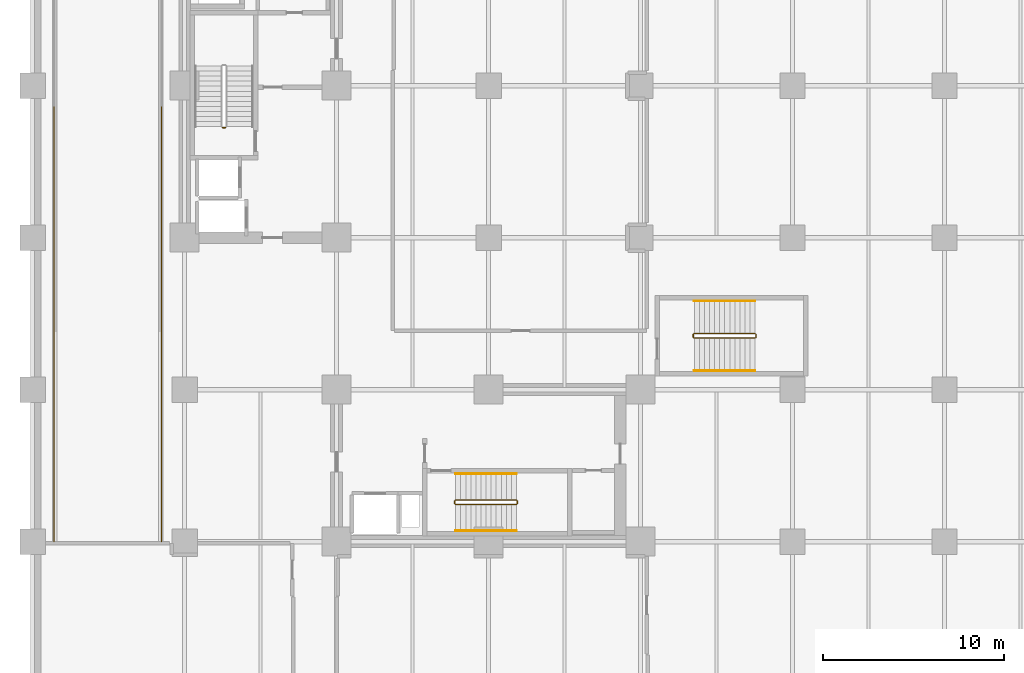
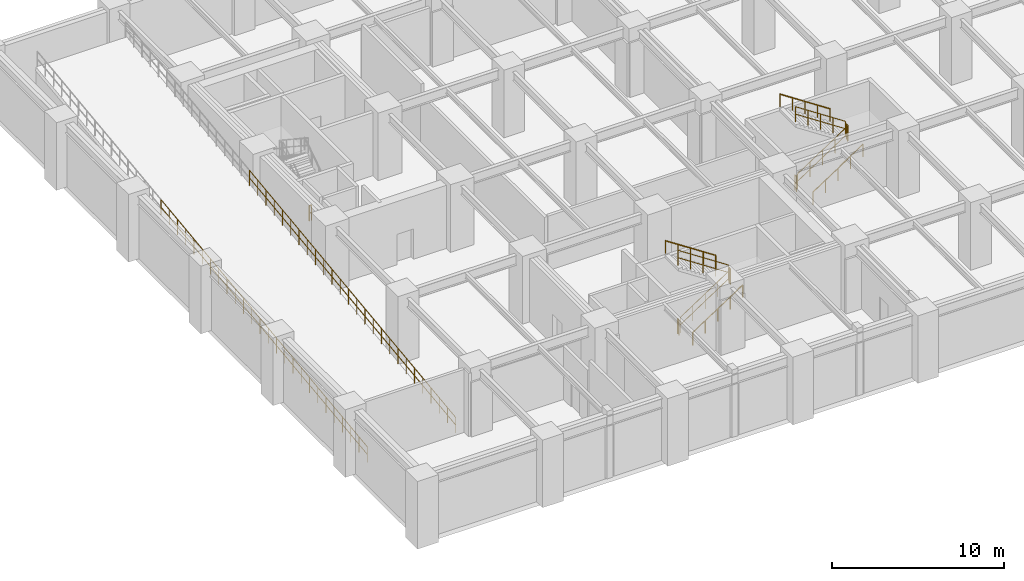
# One storey, part 6 of 7: 23 railings.
"""IFC4 building model written with IfcOpenShell, lengths in metres."""

from ifc_helpers import new_model, si_unit, direction, frame, origin, origin_2d, place, context, subcontext, project, spatial, circle, extrude, material, type_object, element, save


model = new_model("IFC4")

# Units and contexts
model_context = context("Model", 3, precision=1e-05, world=origin(), true_north=direction((0.0, 1.0)))
body_context = subcontext(model_context, "Body", "Model", "MODEL_VIEW")
ifc_project = project(units=[si_unit("LENGTHUNIT", "METRE"), si_unit("AREAUNIT", "SQUARE_METRE"), si_unit("VOLUMEUNIT", "CUBIC_METRE"), si_unit("PLANEANGLEUNIT", "RADIAN"), si_unit("MASSUNIT", "GRAM", prefix="KILO")], contexts=[model_context])

# Site, building, storey
site_placement = place(None, origin())
site = spatial("IfcSite", under=ifc_project, at=site_placement, CompositionType="ELEMENT")
building_placement = place(site_placement, origin())
building = spatial("IfcBuilding", under=site, at=building_placement, Name="Nerrivon Quay Data Exchange", CompositionType="ELEMENT")
storey_placement = place(building_placement, frame((0.0, 0.0, -4.800048828125)))
storey = spatial("IfcBuildingStorey", under=building, at=storey_placement, Name="B01", CompositionType="ELEMENT", Elevation=-4.800048828125)

# Railings
ifc_material = material(Name="Steel Grade C350L0 (350 MPa)", Category="steel")
railing_type_1 = type_object("IfcRailingType", Name="RAIL-GUARD-GR2", PredefinedType="BALUSTRADE", material=ifc_material)
railing_1_placement = place(storey_placement, frame((1.179931640625, 8.39990234375, 0.0)))
element("IfcRailing", 1, at=railing_1_placement, inside=storey, type_object=railing_type_1, Name="B01 Vehicle Ramp Flight Guard WEST 1", PredefinedType="BALUSTRADE", context=body_context, shape_type="SweptSolid", body=[
    extrude(circle(Radius=0.02392578125, at=origin_2d()), frame((0.0, 0.0, 1.09619140625), z_axis=(0.0, 0.99227554719, 0.12405336936), x_axis=(-1.0, 0.0, 0.0)), (0.0, 0.0, 1.0), 4.83740234375),
    extrude(circle(Radius=0.02392578125, at=origin_2d()), frame((0.0, 0.0, 0.56005859375), z_axis=(0.0, 0.99227554719, 0.12405336936), x_axis=(-1.0, 0.0, 0.0)), (0.0, 0.0, 1.0), 4.83740234375),
    extrude(circle(Radius=0.02099609375, at=origin_2d()), origin(), (0.0, 0.0, 1.0), 1.072021484375),
    extrude(circle(Radius=0.02099609375, at=origin_2d()), frame((0.0, 0.9599609375, 0.1201171875)), (0.0, 0.0, 1.0), 1.072021484375),
    extrude(circle(Radius=0.02099609375, at=origin_2d()), frame((0.0, 1.919921875, 0.239990234375)), (0.0, 0.0, 1.0), 1.072021484375),
    extrude(circle(Radius=0.02099609375, at=origin_2d()), frame((0.0, 2.880126953125, 0.360107421875)), (0.0, 0.0, 1.0), 1.072021484375),
    extrude(circle(Radius=0.02099609375, at=origin_2d()), frame((0.0, 3.840087890625, 0.47998046875)), (0.0, 0.0, 1.0), 1.072021484375),
    extrude(circle(Radius=0.02099609375, at=origin_2d()), frame((0.0, 4.800048828125, 0.60009765625)), (0.0, 0.0, 1.0), 1.072021484375),
])
railing_2_placement = place(storey_placement, frame((1.179931640625, 13.199951171875, 0.60009765625)))
element("IfcRailing", 2, at=railing_2_placement, inside=storey, type_object=railing_type_1, Name="B01 Vehicle Ramp Flight Guard WEST 2", PredefinedType="BALUSTRADE", context=body_context, shape_type="SweptSolid", body=[
    extrude(circle(Radius=0.02392578125, at=origin_2d()), frame((0.0, 0.0, 1.09619140625), z_axis=(0.0, 0.9922817585, 0.124003676346), x_axis=(-1.0, 0.0, 0.0)), (0.0, 0.0, 1.0), 4.83740234375),
    extrude(circle(Radius=0.02392578125, at=origin_2d()), frame((0.0, 0.0, 0.56005859375), z_axis=(0.0, 0.9922817585, 0.124003676346), x_axis=(-1.0, 0.0, 0.0)), (0.0, 0.0, 1.0), 4.83740234375),
    extrude(circle(Radius=0.02099609375, at=origin_2d()), origin(), (0.0, 0.0, 1.0), 1.072021484375),
    extrude(circle(Radius=0.02099609375, at=origin_2d()), frame((0.0, 0.9599609375, 0.119873046875)), (0.0, 0.0, 1.0), 1.072021484375),
    extrude(circle(Radius=0.02099609375, at=origin_2d()), frame((0.0, 1.919921875, 0.239990234375)), (0.0, 0.0, 1.0), 1.072021484375),
    extrude(circle(Radius=0.02099609375, at=origin_2d()), frame((0.0, 2.880126953125, 0.35986328125)), (0.0, 0.0, 1.0), 1.072021484375),
    extrude(circle(Radius=0.02099609375, at=origin_2d()), frame((0.0, 3.840087890625, 0.47998046875)), (0.0, 0.0, 1.0), 1.072021484375),
    extrude(circle(Radius=0.02099609375, at=origin_2d()), frame((0.0, 4.800048828125, 0.599853515625)), (0.0, 0.0, 1.0), 1.072021484375),
])
for number, where, name in (
    (3, (1.179931640625, 18.0, 1.199951171875), "B01 Vehicle Ramp Flight Guard WEST 3"),
    (4, (1.179931640625, 22.800048828125, 1.800048828125), "B01 Vehicle Ramp Flight Guard WEST 4"),
):
    element("IfcRailing", number, at=place(storey_placement, frame(where)), inside=storey, type_object=railing_type_1, Name=name, PredefinedType="BALUSTRADE", context=body_context, shape_type="SweptSolid", body=[
        extrude(circle(Radius=0.02392578125, at=origin_2d()), frame((0.0, 0.0, 1.09619140625), z_axis=(0.0, 0.99227554719, 0.12405336936), x_axis=(-1.0, 0.0, 0.0)), (0.0, 0.0, 1.0), 4.83740234375),
        extrude(circle(Radius=0.02392578125, at=origin_2d()), frame((0.0, 0.0, 0.56005859375), z_axis=(0.0, 0.99227554719, 0.12405336936), x_axis=(-1.0, 0.0, 0.0)), (0.0, 0.0, 1.0), 4.83740234375),
        extrude(circle(Radius=0.02099609375, at=origin_2d()), origin(), (0.0, 0.0, 1.0), 1.072021484375),
        extrude(circle(Radius=0.02099609375, at=origin_2d()), frame((0.0, 0.9599609375, 0.1201171875)), (0.0, 0.0, 1.0), 1.072021484375),
        extrude(circle(Radius=0.02099609375, at=origin_2d()), frame((0.0, 1.919921875, 0.239990234375)), (0.0, 0.0, 1.0), 1.072021484375),
        extrude(circle(Radius=0.02099609375, at=origin_2d()), frame((0.0, 2.880126953125, 0.360107421875)), (0.0, 0.0, 1.0), 1.072021484375),
        extrude(circle(Radius=0.02099609375, at=origin_2d()), frame((0.0, 3.840087890625, 0.47998046875)), (0.0, 0.0, 1.0), 1.072021484375),
        extrude(circle(Radius=0.02099609375, at=origin_2d()), frame((0.0, 4.800048828125, 0.60009765625)), (0.0, 0.0, 1.0), 1.072021484375),
    ])
railing_3_placement = place(storey_placement, frame((1.179931640625, 27.60009765625, 2.400146484375)))
element("IfcRailing", 5, at=railing_3_placement, inside=storey, type_object=railing_type_1, Name="B01 Vehicle Ramp Flight Guard WEST 5", PredefinedType="BALUSTRADE", context=body_context, shape_type="SweptSolid", body=[
    extrude(circle(Radius=0.02392578125, at=origin_2d()), frame((0.0, 0.0, 1.09619140625), z_axis=(0.0, 0.992280982376, 0.12400988676), x_axis=(-1.0, 0.0, 0.0)), (0.0, 0.0, 1.0), 4.837158203125),
    extrude(circle(Radius=0.02392578125, at=origin_2d()), frame((0.0, 0.0, 0.56005859375), z_axis=(0.0, 0.992280982376, 0.12400988676), x_axis=(-1.0, 0.0, 0.0)), (0.0, 0.0, 1.0), 4.837158203125),
    extrude(circle(Radius=0.02099609375, at=origin_2d()), origin(), (0.0, 0.0, 1.0), 1.072021484375),
    extrude(circle(Radius=0.02099609375, at=origin_2d()), frame((0.0, 0.9599609375, 0.119873046875)), (0.0, 0.0, 1.0), 1.072021484375),
    extrude(circle(Radius=0.02099609375, at=origin_2d()), frame((0.0, 1.919921875, 0.239990234375)), (0.0, 0.0, 1.0), 1.072021484375),
    extrude(circle(Radius=0.02099609375, at=origin_2d()), frame((0.0, 2.8798828125, 0.35986328125)), (0.0, 0.0, 1.0), 1.072021484375),
    extrude(circle(Radius=0.02099609375, at=origin_2d()), frame((0.0, 3.83984375, 0.47998046875)), (0.0, 0.0, 1.0), 1.072021484375),
    extrude(circle(Radius=0.02099609375, at=origin_2d()), frame((0.0, 4.7998046875, 0.599853515625)), (0.0, 0.0, 1.0), 1.072021484375),
])
railing_4_placement = place(storey_placement, frame((7.1201171875, 8.39990234375, 0.0)))
element("IfcRailing", 6, at=railing_4_placement, inside=storey, type_object=railing_type_1, Name="B01 Vehicle Ramp Flight Guard EAST 1", PredefinedType="BALUSTRADE", context=body_context, shape_type="SweptSolid", body=[
    extrude(circle(Radius=0.02392578125, at=origin_2d()), frame((0.0, 0.0, 1.09619140625), z_axis=(0.0, 0.99227554719, 0.12405336936), x_axis=(-1.0, 0.0, 0.0)), (0.0, 0.0, 1.0), 4.83740234375),
    extrude(circle(Radius=0.02392578125, at=origin_2d()), frame((0.0, 0.0, 0.56005859375), z_axis=(0.0, 0.99227554719, 0.12405336936), x_axis=(-1.0, 0.0, 0.0)), (0.0, 0.0, 1.0), 4.83740234375),
    extrude(circle(Radius=0.02099609375, at=origin_2d()), origin(), (0.0, 0.0, 1.0), 1.072021484375),
    extrude(circle(Radius=0.02099609375, at=origin_2d()), frame((0.0, 0.9599609375, 0.1201171875)), (0.0, 0.0, 1.0), 1.072021484375),
    extrude(circle(Radius=0.02099609375, at=origin_2d()), frame((0.0, 1.919921875, 0.239990234375)), (0.0, 0.0, 1.0), 1.072021484375),
    extrude(circle(Radius=0.02099609375, at=origin_2d()), frame((0.0, 2.880126953125, 0.360107421875)), (0.0, 0.0, 1.0), 1.072021484375),
    extrude(circle(Radius=0.02099609375, at=origin_2d()), frame((0.0, 3.840087890625, 0.47998046875)), (0.0, 0.0, 1.0), 1.072021484375),
    extrude(circle(Radius=0.02099609375, at=origin_2d()), frame((0.0, 4.800048828125, 0.60009765625)), (0.0, 0.0, 1.0), 1.072021484375),
])
railing_5_placement = place(storey_placement, frame((7.1201171875, 13.199951171875, 0.60009765625)))
element("IfcRailing", 7, at=railing_5_placement, inside=storey, type_object=railing_type_1, Name="B01 Vehicle Ramp Flight Guard EAST 2", PredefinedType="BALUSTRADE", context=body_context, shape_type="SweptSolid", body=[
    extrude(circle(Radius=0.02392578125, at=origin_2d()), frame((0.0, 0.0, 1.09619140625), z_axis=(0.0, 0.9922817585, 0.124003676346), x_axis=(-1.0, 0.0, 0.0)), (0.0, 0.0, 1.0), 4.83740234375),
    extrude(circle(Radius=0.02392578125, at=origin_2d()), frame((0.0, 0.0, 0.56005859375), z_axis=(0.0, 0.9922817585, 0.124003676346), x_axis=(-1.0, 0.0, 0.0)), (0.0, 0.0, 1.0), 4.83740234375),
    extrude(circle(Radius=0.02099609375, at=origin_2d()), origin(), (0.0, 0.0, 1.0), 1.072021484375),
    extrude(circle(Radius=0.02099609375, at=origin_2d()), frame((0.0, 0.9599609375, 0.119873046875)), (0.0, 0.0, 1.0), 1.072021484375),
    extrude(circle(Radius=0.02099609375, at=origin_2d()), frame((0.0, 1.919921875, 0.239990234375)), (0.0, 0.0, 1.0), 1.072021484375),
    extrude(circle(Radius=0.02099609375, at=origin_2d()), frame((0.0, 2.880126953125, 0.35986328125)), (0.0, 0.0, 1.0), 1.072021484375),
    extrude(circle(Radius=0.02099609375, at=origin_2d()), frame((0.0, 3.840087890625, 0.47998046875)), (0.0, 0.0, 1.0), 1.072021484375),
    extrude(circle(Radius=0.02099609375, at=origin_2d()), frame((0.0, 4.800048828125, 0.599853515625)), (0.0, 0.0, 1.0), 1.072021484375),
])
for number, where, name in (
    (8, (7.1201171875, 18.0, 1.199951171875), "B01 Vehicle Ramp Flight Guard EAST 3"),
    (9, (7.1201171875, 22.800048828125, 1.800048828125), "B01 Vehicle Ramp Flight Guard EAST 4"),
):
    element("IfcRailing", number, at=place(storey_placement, frame(where)), inside=storey, type_object=railing_type_1, Name=name, PredefinedType="BALUSTRADE", context=body_context, shape_type="SweptSolid", body=[
        extrude(circle(Radius=0.02392578125, at=origin_2d()), frame((0.0, 0.0, 1.09619140625), z_axis=(0.0, 0.99227554719, 0.12405336936), x_axis=(-1.0, 0.0, 0.0)), (0.0, 0.0, 1.0), 4.83740234375),
        extrude(circle(Radius=0.02392578125, at=origin_2d()), frame((0.0, 0.0, 0.56005859375), z_axis=(0.0, 0.99227554719, 0.12405336936), x_axis=(-1.0, 0.0, 0.0)), (0.0, 0.0, 1.0), 4.83740234375),
        extrude(circle(Radius=0.02099609375, at=origin_2d()), origin(), (0.0, 0.0, 1.0), 1.072021484375),
        extrude(circle(Radius=0.02099609375, at=origin_2d()), frame((0.0, 0.9599609375, 0.1201171875)), (0.0, 0.0, 1.0), 1.072021484375),
        extrude(circle(Radius=0.02099609375, at=origin_2d()), frame((0.0, 1.919921875, 0.239990234375)), (0.0, 0.0, 1.0), 1.072021484375),
        extrude(circle(Radius=0.02099609375, at=origin_2d()), frame((0.0, 2.880126953125, 0.360107421875)), (0.0, 0.0, 1.0), 1.072021484375),
        extrude(circle(Radius=0.02099609375, at=origin_2d()), frame((0.0, 3.840087890625, 0.47998046875)), (0.0, 0.0, 1.0), 1.072021484375),
        extrude(circle(Radius=0.02099609375, at=origin_2d()), frame((0.0, 4.800048828125, 0.60009765625)), (0.0, 0.0, 1.0), 1.072021484375),
    ])
railing_6_placement = place(storey_placement, frame((7.1201171875, 27.60009765625, 2.400146484375)))
element("IfcRailing", 10, at=railing_6_placement, inside=storey, type_object=railing_type_1, Name="B01 Vehicle Ramp Flight Guard EAST 5", PredefinedType="BALUSTRADE", context=body_context, shape_type="SweptSolid", body=[
    extrude(circle(Radius=0.02392578125, at=origin_2d()), frame((0.0, 0.0, 1.09619140625), z_axis=(0.0, 0.992280982376, 0.12400988676), x_axis=(-1.0, 0.0, 0.0)), (0.0, 0.0, 1.0), 4.837158203125),
    extrude(circle(Radius=0.02392578125, at=origin_2d()), frame((0.0, 0.0, 0.56005859375), z_axis=(0.0, 0.992280982376, 0.12400988676), x_axis=(-1.0, 0.0, 0.0)), (0.0, 0.0, 1.0), 4.837158203125),
    extrude(circle(Radius=0.02099609375, at=origin_2d()), origin(), (0.0, 0.0, 1.0), 1.072021484375),
    extrude(circle(Radius=0.02099609375, at=origin_2d()), frame((0.0, 0.9599609375, 0.119873046875)), (0.0, 0.0, 1.0), 1.072021484375),
    extrude(circle(Radius=0.02099609375, at=origin_2d()), frame((0.0, 1.919921875, 0.239990234375)), (0.0, 0.0, 1.0), 1.072021484375),
    extrude(circle(Radius=0.02099609375, at=origin_2d()), frame((0.0, 2.8798828125, 0.35986328125)), (0.0, 0.0, 1.0), 1.072021484375),
    extrude(circle(Radius=0.02099609375, at=origin_2d()), frame((0.0, 3.83984375, 0.47998046875)), (0.0, 0.0, 1.0), 1.072021484375),
    extrude(circle(Radius=0.02099609375, at=origin_2d()), frame((0.0, 4.7998046875, 0.599853515625)), (0.0, 0.0, 1.0), 1.072021484375),
])
railing_type_2 = type_object("IfcRailingType", Name="RAIL-HAND-HR1", PredefinedType="HANDRAIL", material=ifc_material)
railing_7_placement = place(storey_placement, frame((23.3798828125, 9.0, 0.1845703125)))
element("IfcRailing", 11, at=railing_7_placement, inside=storey, type_object=railing_type_2, Name="B01 ST02 stair handrail 1", PredefinedType="HANDRAIL", context=body_context, shape_type="SweptSolid", body=[
    extrude(circle(Radius=0.02392578125, at=origin_2d()), frame((0.0, 0.0, 0.8759765625), z_axis=(0.834848600103, 0.0, 0.550479622607), x_axis=(0.0, 1.0, 0.0)), (0.0, 0.0, 1.0), 4.02490234375),
    extrude(circle(Radius=0.02099609375, at=origin_2d()), origin(), (0.0, 0.0, 1.0), 0.851806640625),
    extrude(circle(Radius=0.02099609375, at=origin_2d()), frame((0.840087890625, 0.0, 0.553955078125)), (0.0, 0.0, 1.0), 0.851806640625),
    extrude(circle(Radius=0.02099609375, at=origin_2d()), frame((1.68017578125, 0.0, 1.10791015625)), (0.0, 0.0, 1.0), 0.851806640625),
    extrude(circle(Radius=0.02099609375, at=origin_2d()), frame((2.52001953125, 0.0, 1.66162109375)), (0.0, 0.0, 1.0), 0.851806640625),
    extrude(circle(Radius=0.02099609375, at=origin_2d()), frame((3.360107421875, 0.0, 2.215576171875)), (0.0, 0.0, 1.0), 0.851806640625),
])
railing_8_placement = place(storey_placement, frame((26.739990234375, 12.14990234375, 2.584716796875)))
element("IfcRailing", 12, at=railing_8_placement, inside=storey, type_object=railing_type_2, Name="B01 ST02 stair handrail 2", PredefinedType="HANDRAIL", context=body_context, shape_type="SweptSolid", body=[
    extrude(circle(Radius=0.02392578125, at=origin_2d()), frame((0.0, 0.0, 0.8759765625), z_axis=(-0.834876476806, 0.0, 0.550437342915), x_axis=(0.0, -1.0, 0.0)), (0.0, 0.0, 1.0), 4.024658203125),
    extrude(circle(Radius=0.02099609375, at=origin_2d()), origin(), (0.0, 0.0, 1.0), 0.851806640625),
    extrude(circle(Radius=0.02099609375, at=origin_2d()), frame((-0.840087890625, 0.0, 0.5537109375)), (0.0, 0.0, 1.0), 0.851806640625),
    extrude(circle(Radius=0.02099609375, at=origin_2d()), frame((-1.68017578125, 0.0, 1.107666015625)), (0.0, 0.0, 1.0), 0.851806640625),
    extrude(circle(Radius=0.02099609375, at=origin_2d()), frame((-2.52001953125, 0.0, 1.66162109375)), (0.0, 0.0, 1.0), 0.851806640625),
    extrude(circle(Radius=0.02099609375, at=origin_2d()), frame((-3.360107421875, 0.0, 2.21533203125)), (0.0, 0.0, 1.0), 0.851806640625),
])
railing_9_placement = place(storey_placement, frame((36.570068359375, 17.85009765625, 0.1845703125)))
element("IfcRailing", 13, at=railing_9_placement, inside=storey, type_object=railing_type_2, Name="B01 ST03 stair handrail 1", PredefinedType="HANDRAIL", context=body_context, shape_type="SweptSolid", body=[
    extrude(circle(Radius=0.02392578125, at=origin_2d()), frame((0.0, 0.0, 0.8759765625), z_axis=(0.83483021737, 0.0, 0.550507500554), x_axis=(0.0, 1.0, 0.0)), (0.0, 0.0, 1.0), 4.024658203125),
    extrude(circle(Radius=0.02099609375, at=origin_2d()), origin(), (0.0, 0.0, 1.0), 0.851806640625),
    extrude(circle(Radius=0.02099609375, at=origin_2d()), frame((0.83984375, 0.0, 0.553955078125)), (0.0, 0.0, 1.0), 0.851806640625),
    extrude(circle(Radius=0.02099609375, at=origin_2d()), frame((1.679931640625, 0.0, 1.10791015625)), (0.0, 0.0, 1.0), 0.851806640625),
    extrude(circle(Radius=0.02099609375, at=origin_2d()), frame((2.52001953125, 0.0, 1.66162109375)), (0.0, 0.0, 1.0), 0.851806640625),
    extrude(circle(Radius=0.02099609375, at=origin_2d()), frame((3.35986328125, 0.0, 2.215576171875)), (0.0, 0.0, 1.0), 0.851806640625),
])
railing_10_placement = place(storey_placement, frame((39.929931640625, 21.699951171875, 2.584716796875)))
element("IfcRailing", 14, at=railing_10_placement, inside=storey, type_object=railing_type_2, Name="B01 ST03 stair handrail 2", PredefinedType="HANDRAIL", context=body_context, shape_type="SweptSolid", body=[
    extrude(circle(Radius=0.02392578125, at=origin_2d()), frame((0.0, 0.0, 0.8759765625), z_axis=(-0.834858096282, 0.0, 0.550465220583), x_axis=(0.0, -1.0, 0.0)), (0.0, 0.0, 1.0), 4.0244140625),
    extrude(circle(Radius=0.02099609375, at=origin_2d()), origin(), (0.0, 0.0, 1.0), 0.851806640625),
    extrude(circle(Radius=0.02099609375, at=origin_2d()), frame((-0.83984375, 0.0, 0.5537109375)), (0.0, 0.0, 1.0), 0.851806640625),
    extrude(circle(Radius=0.02099609375, at=origin_2d()), frame((-1.679931640625, 0.0, 1.107666015625)), (0.0, 0.0, 1.0), 0.851806640625),
    extrude(circle(Radius=0.02099609375, at=origin_2d()), frame((-2.52001953125, 0.0, 1.66162109375)), (0.0, 0.0, 1.0), 0.851806640625),
    extrude(circle(Radius=0.02099609375, at=origin_2d()), frame((-3.35986328125, 0.0, 2.21533203125)), (0.0, 0.0, 1.0), 0.851806640625),
])
railing_type_3 = type_object("IfcRailingType", Name="RAIL-STAIR-GR1", PredefinedType="BALUSTRADE", material=ifc_material)
railing_11_placement = place(storey_placement, frame((10.64990234375, 31.280029296875, 0.0)))
element("IfcRailing", 15, at=railing_11_placement, inside=storey, type_object=railing_type_3, Name="B01 ST01 stair guard 4", PredefinedType="BALUSTRADE", context=body_context, shape_type="SweptSolid", body=[
    extrude(circle(Radius=0.02392578125, at=origin_2d()), frame((0.0, 0.0, 1.076171875), z_axis=(-1.0, 0.0, 0.0), x_axis=(0.0, -1.0, 0.0)), (0.0, 0.0, 1.0), 0.14990234375),
    extrude(circle(Radius=0.02392578125, at=origin_2d()), frame((0.0, 0.0, 0.550048828125), z_axis=(-1.0, 0.0, 0.0), x_axis=(0.0, -1.0, 0.0)), (0.0, 0.0, 1.0), 0.14990234375),
    extrude(circle(Radius=0.02099609375, at=origin_2d()), origin(), (0.0, 0.0, 1.0), 1.052001953125),
    extrude(circle(Radius=0.02099609375, at=origin_2d()), frame((-0.14990234375, 0.0, 0.0)), (0.0, 0.0, 1.0), 1.052001953125),
])
railing_12_placement = place(storey_placement, frame((23.3798828125, 10.449951171875, 0.1845703125)))
element("IfcRailing", 16, at=railing_12_placement, inside=storey, type_object=railing_type_3, Name="B01 ST02 stair guard 1", PredefinedType="BALUSTRADE", context=body_context, shape_type="SweptSolid", body=[
    extrude(circle(Radius=0.02392578125, at=origin_2d()), frame((0.0, 0.0, 1.076171875), z_axis=(0.834848600103, 0.0, 0.550479622607), x_axis=(0.0, 1.0, 0.0)), (0.0, 0.0, 1.0), 4.02490234375),
    extrude(circle(Radius=0.02392578125, at=origin_2d()), frame((0.0, 0.0, 0.550048828125), z_axis=(0.834848600103, 0.0, 0.550479622607), x_axis=(0.0, 1.0, 0.0)), (0.0, 0.0, 1.0), 4.02490234375),
    extrude(circle(Radius=0.02099609375, at=origin_2d()), origin(), (0.0, 0.0, 1.0), 1.052001953125),
    extrude(circle(Radius=0.02099609375, at=origin_2d()), frame((0.840087890625, 0.0, 0.553955078125)), (0.0, 0.0, 1.0), 1.052001953125),
    extrude(circle(Radius=0.02099609375, at=origin_2d()), frame((1.68017578125, 0.0, 1.10791015625)), (0.0, 0.0, 1.0), 1.052001953125),
    extrude(circle(Radius=0.02099609375, at=origin_2d()), frame((2.52001953125, 0.0, 1.66162109375)), (0.0, 0.0, 1.0), 1.052001953125),
    extrude(circle(Radius=0.02099609375, at=origin_2d()), frame((3.360107421875, 0.0, 2.215576171875)), (0.0, 0.0, 1.0), 1.052001953125),
])
railing_13_placement = place(storey_placement, frame((26.7900390625, 10.5, 2.400146484375)))
element("IfcRailing", 17, at=railing_13_placement, inside=storey, type_object=railing_type_3, Name="B01 ST02 stair guard 2", PredefinedType="BALUSTRADE", context=body_context, shape_type="SweptSolid", body=[
    extrude(circle(Radius=0.02392578125, at=origin_2d()), frame((0.0, 0.0, 1.076171875), z_axis=(0.0, 1.0, 0.0), x_axis=(-1.0, 0.0, 0.0)), (0.0, 0.0, 1.0), 0.14990234375),
    extrude(circle(Radius=0.02392578125, at=origin_2d()), frame((0.0, 0.0, 0.550048828125), z_axis=(0.0, 1.0, 0.0), x_axis=(-1.0, 0.0, 0.0)), (0.0, 0.0, 1.0), 0.14990234375),
    extrude(circle(Radius=0.02099609375, at=origin_2d()), origin(), (0.0, 0.0, 1.0), 1.052001953125),
    extrude(circle(Radius=0.02099609375, at=origin_2d()), frame((0.0, 0.14990234375, 0.0)), (0.0, 0.0, 1.0), 1.052001953125),
])
railing_14_placement = place(storey_placement, frame((26.739990234375, 10.699951171875, 2.584716796875)))
element("IfcRailing", 18, at=railing_14_placement, inside=storey, type_object=railing_type_3, Name="B01 ST02 stair guard 3", PredefinedType="BALUSTRADE", context=body_context, shape_type="SweptSolid", body=[
    extrude(circle(Radius=0.02392578125, at=origin_2d()), frame((0.0, 0.0, 1.076171875), z_axis=(-0.834876476806, 0.0, 0.550437342915), x_axis=(0.0, -1.0, 0.0)), (0.0, 0.0, 1.0), 4.024658203125),
    extrude(circle(Radius=0.02392578125, at=origin_2d()), frame((0.0, 0.0, 0.550048828125), z_axis=(-0.834876476806, 0.0, 0.550437342915), x_axis=(0.0, -1.0, 0.0)), (0.0, 0.0, 1.0), 4.024658203125),
    extrude(circle(Radius=0.02099609375, at=origin_2d()), origin(), (0.0, 0.0, 1.0), 1.052001953125),
    extrude(circle(Radius=0.02099609375, at=origin_2d()), frame((-0.840087890625, 0.0, 0.5537109375)), (0.0, 0.0, 1.0), 1.052001953125),
    extrude(circle(Radius=0.02099609375, at=origin_2d()), frame((-1.68017578125, 0.0, 1.107666015625)), (0.0, 0.0, 1.0), 1.052001953125),
    extrude(circle(Radius=0.02099609375, at=origin_2d()), frame((-2.52001953125, 0.0, 1.66162109375)), (0.0, 0.0, 1.0), 1.052001953125),
    extrude(circle(Radius=0.02099609375, at=origin_2d()), frame((-3.360107421875, 0.0, 2.21533203125)), (0.0, 0.0, 1.0), 1.052001953125),
])
railing_15_placement = place(storey_placement, frame((23.330078125, 10.5, 0.0)))
element("IfcRailing", 19, at=railing_15_placement, inside=storey, type_object=railing_type_3, Name="B01 ST02 stair guard 4", PredefinedType="BALUSTRADE", context=body_context, shape_type="SweptSolid", body=[
    extrude(circle(Radius=0.02392578125, at=origin_2d()), frame((0.0, 0.0, 1.076171875), z_axis=(0.0, 1.0, 0.0), x_axis=(-1.0, 0.0, 0.0)), (0.0, 0.0, 1.0), 0.14990234375),
    extrude(circle(Radius=0.02392578125, at=origin_2d()), frame((0.0, 0.0, 0.550048828125), z_axis=(0.0, 1.0, 0.0), x_axis=(-1.0, 0.0, 0.0)), (0.0, 0.0, 1.0), 0.14990234375),
    extrude(circle(Radius=0.02099609375, at=origin_2d()), origin(), (0.0, 0.0, 1.0), 1.052001953125),
    extrude(circle(Radius=0.02099609375, at=origin_2d()), frame((0.0, 0.14990234375, 0.0)), (0.0, 0.0, 1.0), 1.052001953125),
])
railing_16_placement = place(storey_placement, frame((36.570068359375, 19.64990234375, 0.1845703125)))
element("IfcRailing", 20, at=railing_16_placement, inside=storey, type_object=railing_type_3, Name="B01 ST03 stair guard 1", PredefinedType="BALUSTRADE", context=body_context, shape_type="SweptSolid", body=[
    extrude(circle(Radius=0.02392578125, at=origin_2d()), frame((0.0, 0.0, 1.076171875), z_axis=(0.83483021737, 0.0, 0.550507500554), x_axis=(0.0, 1.0, 0.0)), (0.0, 0.0, 1.0), 4.024658203125),
    extrude(circle(Radius=0.02392578125, at=origin_2d()), frame((0.0, 0.0, 0.550048828125), z_axis=(0.83483021737, 0.0, 0.550507500554), x_axis=(0.0, 1.0, 0.0)), (0.0, 0.0, 1.0), 4.024658203125),
    extrude(circle(Radius=0.02099609375, at=origin_2d()), origin(), (0.0, 0.0, 1.0), 1.052001953125),
    extrude(circle(Radius=0.02099609375, at=origin_2d()), frame((0.83984375, 0.0, 0.553955078125)), (0.0, 0.0, 1.0), 1.052001953125),
    extrude(circle(Radius=0.02099609375, at=origin_2d()), frame((1.679931640625, 0.0, 1.10791015625)), (0.0, 0.0, 1.0), 1.052001953125),
    extrude(circle(Radius=0.02099609375, at=origin_2d()), frame((2.52001953125, 0.0, 1.66162109375)), (0.0, 0.0, 1.0), 1.052001953125),
    extrude(circle(Radius=0.02099609375, at=origin_2d()), frame((3.35986328125, 0.0, 2.215576171875)), (0.0, 0.0, 1.0), 1.052001953125),
])
railing_17_placement = place(storey_placement, frame((39.97998046875, 19.699951171875, 2.400146484375)))
element("IfcRailing", 21, at=railing_17_placement, inside=storey, type_object=railing_type_3, Name="B01 ST03 stair guard 2", PredefinedType="BALUSTRADE", context=body_context, shape_type="SweptSolid", body=[
    extrude(circle(Radius=0.02392578125, at=origin_2d()), frame((0.0, 0.0, 1.076171875), z_axis=(0.0, 1.0, 0.0), x_axis=(-1.0, 0.0, 0.0)), (0.0, 0.0, 1.0), 0.150146484375),
    extrude(circle(Radius=0.02392578125, at=origin_2d()), frame((0.0, 0.0, 0.550048828125), z_axis=(0.0, 1.0, 0.0), x_axis=(-1.0, 0.0, 0.0)), (0.0, 0.0, 1.0), 0.150146484375),
    extrude(circle(Radius=0.02099609375, at=origin_2d()), origin(), (0.0, 0.0, 1.0), 1.052001953125),
    extrude(circle(Radius=0.02099609375, at=origin_2d()), frame((0.0, 0.150146484375, 0.0)), (0.0, 0.0, 1.0), 1.052001953125),
])
railing_18_placement = place(storey_placement, frame((39.929931640625, 19.89990234375, 2.584716796875)))
element("IfcRailing", 22, at=railing_18_placement, inside=storey, type_object=railing_type_3, Name="B01 ST03 stair guard 3", PredefinedType="BALUSTRADE", context=body_context, shape_type="SweptSolid", body=[
    extrude(circle(Radius=0.02392578125, at=origin_2d()), frame((0.0, 0.0, 1.076171875), z_axis=(-0.834858096282, 0.0, 0.550465220583), x_axis=(0.0, -1.0, 0.0)), (0.0, 0.0, 1.0), 4.0244140625),
    extrude(circle(Radius=0.02392578125, at=origin_2d()), frame((0.0, 0.0, 0.550048828125), z_axis=(-0.834858096282, 0.0, 0.550465220583), x_axis=(0.0, -1.0, 0.0)), (0.0, 0.0, 1.0), 4.0244140625),
    extrude(circle(Radius=0.02099609375, at=origin_2d()), origin(), (0.0, 0.0, 1.0), 1.052001953125),
    extrude(circle(Radius=0.02099609375, at=origin_2d()), frame((-0.83984375, 0.0, 0.5537109375)), (0.0, 0.0, 1.0), 1.052001953125),
    extrude(circle(Radius=0.02099609375, at=origin_2d()), frame((-1.679931640625, 0.0, 1.107666015625)), (0.0, 0.0, 1.0), 1.052001953125),
    extrude(circle(Radius=0.02099609375, at=origin_2d()), frame((-2.52001953125, 0.0, 1.66162109375)), (0.0, 0.0, 1.0), 1.052001953125),
    extrude(circle(Radius=0.02099609375, at=origin_2d()), frame((-3.35986328125, 0.0, 2.21533203125)), (0.0, 0.0, 1.0), 1.052001953125),
])
railing_19_placement = place(storey_placement, frame((36.52001953125, 19.699951171875, 0.0)))
element("IfcRailing", 23, at=railing_19_placement, inside=storey, type_object=railing_type_3, Name="B01 ST03 stair guard 4", PredefinedType="BALUSTRADE", context=body_context, shape_type="SweptSolid", body=[
    extrude(circle(Radius=0.02392578125, at=origin_2d()), frame((0.0, 0.0, 1.076171875), z_axis=(0.0, 1.0, 0.0), x_axis=(-1.0, 0.0, 0.0)), (0.0, 0.0, 1.0), 0.150146484375),
    extrude(circle(Radius=0.02392578125, at=origin_2d()), frame((0.0, 0.0, 0.550048828125), z_axis=(0.0, 1.0, 0.0), x_axis=(-1.0, 0.0, 0.0)), (0.0, 0.0, 1.0), 0.150146484375),
    extrude(circle(Radius=0.02099609375, at=origin_2d()), origin(), (0.0, 0.0, 1.0), 1.052001953125),
    extrude(circle(Radius=0.02099609375, at=origin_2d()), frame((0.0, 0.150146484375, 0.0)), (0.0, 0.0, 1.0), 1.052001953125),
])

save(model, "model.ifc")
